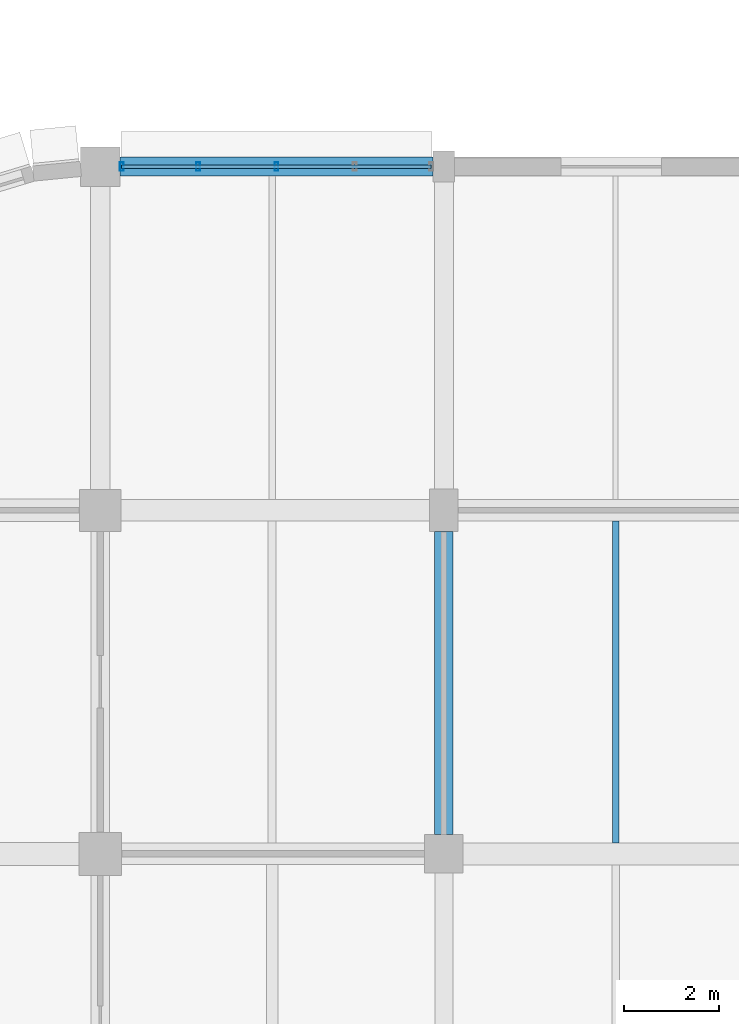
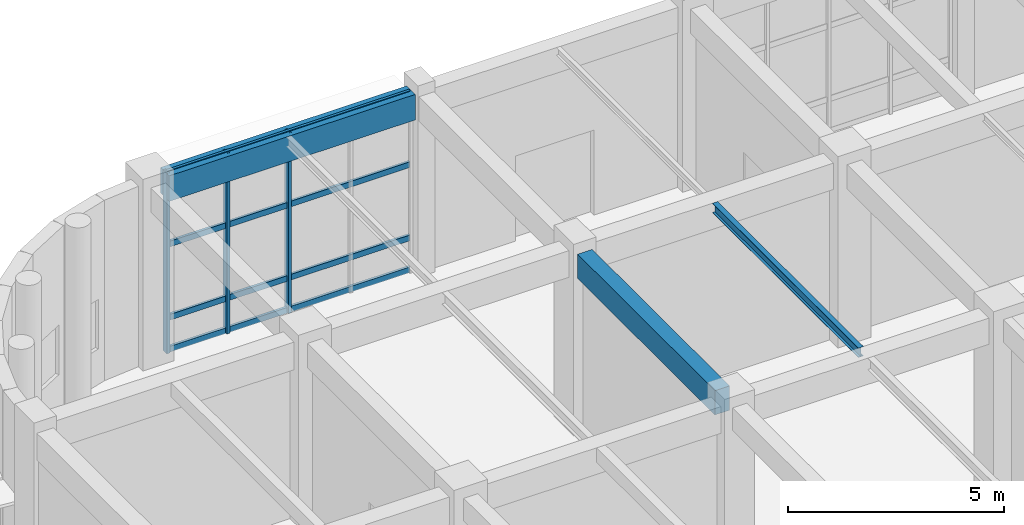
# One storey, part 56 of 160: 7 members, 3 beams, 1 element without a shape of its own.
"""IFC4 building model written with IfcOpenShell, lengths in metres."""

from ifc_helpers import new_model, si_unit, direction, frame, origin, origin_2d, place, context, subcontext, project, spatial, rectangle, hollow_rectangle, i_section, extrude, material, material_profile, profile_set, type_object, element, aggregate, save


model = new_model("IFC4")

# Units and contexts
model_context = context("Model", 3, precision=1e-05, world=origin(), true_north=direction((0.0, 1.0)))
body_context = subcontext(model_context, "Body", "Model", "MODEL_VIEW")
ifc_project = project(units=[si_unit("LENGTHUNIT", "METRE"), si_unit("AREAUNIT", "SQUARE_METRE"), si_unit("VOLUMEUNIT", "CUBIC_METRE"), si_unit("PLANEANGLEUNIT", "RADIAN"), si_unit("MASSUNIT", "GRAM", prefix="KILO")], contexts=[model_context])

# Site, building, storey
site_placement = place(None, origin())
site = spatial("IfcSite", under=ifc_project, at=site_placement, CompositionType="ELEMENT")
building_placement = place(site_placement, origin())
building = spatial("IfcBuilding", under=site, at=building_placement, Name="Thalmaran Polytechnic", CompositionType="ELEMENT")
storey_placement = place(building_placement, origin())
storey = spatial("IfcBuildingStorey", under=building, at=storey_placement, Name="L00", CompositionType="ELEMENT", Elevation=0.0)

# Beams
ifc_material_1 = material(Name="Concrete C40/50", Category="concrete")
ifc_material_profile_1 = material_profile(ifc_material_1, rectangle(XDim=0.389892578125, YDim=0.68505859375, at=origin_2d()), Name="RC 390x685")
ifc_profile_set_1 = profile_set([ifc_material_profile_1], Name="Concrete C40/50")
beam_type_1 = type_object("IfcBeamType", Name="BM-RC08", PredefinedType="BEAM", material=ifc_profile_set_1)
beam_1_placement = place(storey_placement, frame((14.39990234375, 108.39990234375, 4.74755859375), z_axis=(0.0, 1.0, 0.0), x_axis=(-1.0, 0.0, 0.0)))
element("IfcBeam", 1, at=beam_1_placement, inside=storey, type_object=beam_type_1, Name="Grid Beam B08 L00 Y(2,15)", PredefinedType="BEAM", context=body_context, shape_type="SweptSolid", body=[
    extrude(rectangle(XDim=0.389892578125, YDim=0.68505859375, at=origin_2d()), origin(), (0.0, 0.0, 1.0), 6.35009765625),
])
ifc_material_2 = material(Name="Steel S355", Category="steel")
ifc_material_profile_2 = material_profile(ifc_material_2, i_section(OverallWidth=0.135009765625, OverallDepth=0.27001953125, WebThickness=0.006591796875, FlangeThickness=0.01025390625, at=origin_2d()), Name="IPE 270")
ifc_profile_set_2 = profile_set([ifc_material_profile_2], Name="Steel S355")
beam_type_2 = type_object("IfcBeamType", Name="BM-SJ03", PredefinedType="JOIST", material=ifc_profile_set_2)
beam_2_placement = place(storey_placement, frame((18.0, 108.22998046875, 4.955078125), z_axis=(0.0, 1.0, 0.0), x_axis=(-1.0, 0.0, 0.0)))
element("IfcBeam", 2, at=beam_2_placement, inside=storey, type_object=beam_type_2, Name="Secondary Floor Rib SJ03 L00 (2,15)", PredefinedType="JOIST", context=body_context, shape_type="SweptSolid", body=[
    extrude(i_section(OverallWidth=0.135009765625, OverallDepth=0.27001953125, WebThickness=0.006591796875, FlangeThickness=0.01025390625, at=origin_2d()), origin(), (0.0, 0.0, 1.0), 6.739990234375),
])
ifc_material_profile_3 = material_profile(ifc_material_1, rectangle(XDim=0.39990234375, YDim=0.719970703125, at=origin_2d()), Name="RC 400x720")
ifc_profile_set_3 = profile_set([ifc_material_profile_3], Name="Concrete C40/50")
beam_type_3 = type_object("IfcBeamType", Name="BM-SP01", PredefinedType="SPANDREL", material=ifc_profile_set_3)
beam_3_placement = place(storey_placement, frame((7.610107421875, 122.39990234375, 4.72998046875), z_axis=(1.0, 0.0, 0.0), x_axis=(0.0, 1.0, 0.0)))
element("IfcBeam", 3, at=beam_3_placement, inside=storey, type_object=beam_type_3, Name="Grid Beam SP01 L00 X(1,17)", PredefinedType="SPANDREL", context=body_context, shape_type="SweptSolid", body=[
    extrude(rectangle(XDim=0.39990234375, YDim=0.719970703125, at=origin_2d()), origin(), (0.0, 0.0, 1.0), 6.56494140625),
])

# Curtain wall, members
ifc_material_3 = material(Name="Aluminium 6063-T6", Category="aluminium")
curtain_wall_type = type_object("IfcCurtainWallType", Name="CW-UC01", PredefinedType="USERDEFINED", material=ifc_material_3)
curtain_wall_placement = place(storey_placement, origin())
curtain_wall = element("IfcCurtainWall", 4, at=curtain_wall_placement, inside=storey, type_object=curtain_wall_type, Name="Curtain Wall CW-L00-002", ObjectType="UNITISED CURTAIN WALL", PredefinedType="USERDEFINED")
ifc_material_profile_4 = material_profile(ifc_material_3, hollow_rectangle(XDim=0.080078125, YDim=0.179931640625, WallThickness=0.0048828125, at=origin_2d()), Name="RHS 180x80x5.0")
ifc_profile_set_4 = profile_set([ifc_material_profile_4], Name="Aluminium 6063-T6")
member_type_1 = type_object("IfcMemberType", Name="CW-MUL1", PredefinedType="MULLION", material=ifc_profile_set_4)
member_1_placement = place(storey_placement, frame((7.64990234375, 122.39990234375, 0.0), z_axis=(0.0, 0.0, 1.0), x_axis=(1.0, 0.0, 0.0)))
member_1 = element("IfcMember", 5, at=member_1_placement, type_object=member_type_1, Name="CW-L00-002 Mullion 1", PredefinedType="MULLION", context=body_context, shape_type="SweptSolid", body=[
    extrude(hollow_rectangle(XDim=0.080078125, YDim=0.179931640625, WallThickness=0.0048828125, at=origin_2d()), origin(), (0.0, 0.0, 1.0), 5.090087890625),
])
member_2_placement = place(storey_placement, frame((9.251220703125, 122.39990234375, 0.0), z_axis=(0.0, 0.0, 1.0), x_axis=(1.0, 0.0, 0.0)))
member_2 = element("IfcMember", 6, at=member_2_placement, type_object=member_type_1, Name="CW-L00-002 Mullion 2", PredefinedType="MULLION", context=body_context, shape_type="SweptSolid", body=[
    extrude(hollow_rectangle(XDim=0.080078125, YDim=0.179931640625, WallThickness=0.0048828125, at=origin_2d()), origin(), (0.0, 0.0, 1.0), 5.090087890625),
])
member_3_placement = place(storey_placement, frame((10.892578125, 122.39990234375, 0.0), z_axis=(0.0, 0.0, 1.0), x_axis=(1.0, 0.0, 0.0)))
member_3 = element("IfcMember", 7, at=member_3_placement, type_object=member_type_1, Name="CW-L00-002 Mullion 3", PredefinedType="MULLION", context=body_context, shape_type="SweptSolid", body=[
    extrude(hollow_rectangle(XDim=0.080078125, YDim=0.179931640625, WallThickness=0.0048828125, at=origin_2d()), origin(), (0.0, 0.0, 1.0), 5.090087890625),
])
ifc_material_profile_5 = material_profile(ifc_material_3, hollow_rectangle(XDim=0.070068359375, YDim=0.159912109375, WallThickness=0.00390625, at=origin_2d()), Name="AL 160x70x4.0")
ifc_profile_set_5 = profile_set([ifc_material_profile_5], Name="Aluminium 6063-T6")
member_type_2 = type_object("IfcMemberType", Name="CW-TRN1", PredefinedType="USERDEFINED", material=ifc_profile_set_5)
member_4_placement = place(storey_placement, frame((7.64990234375, 122.39990234375, 0.06005859375), z_axis=(1.0, 0.0, 0.0), x_axis=(0.0, 1.0, 0.0)))
member_4 = element("IfcMember", 8, at=member_4_placement, type_object=member_type_2, Name="CW-L00-002 Transom 1", ObjectType="TRANSOM", PredefinedType="USERDEFINED", context=body_context, shape_type="SweptSolid", body=[
    extrude(hollow_rectangle(XDim=0.070068359375, YDim=0.159912109375, WallThickness=0.00390625, at=origin_2d()), origin(), (0.0, 0.0, 1.0), 6.485107421875),
])
member_5_placement = place(storey_placement, frame((7.64990234375, 122.39990234375, 0.9599609375), z_axis=(1.0, 0.0, 0.0), x_axis=(0.0, 1.0, 0.0)))
member_5 = element("IfcMember", 9, at=member_5_placement, type_object=member_type_2, Name="CW-L00-002 Transom 2", ObjectType="TRANSOM", PredefinedType="USERDEFINED", context=body_context, shape_type="SweptSolid", body=[
    extrude(hollow_rectangle(XDim=0.070068359375, YDim=0.159912109375, WallThickness=0.00390625, at=origin_2d()), origin(), (0.0, 0.0, 1.0), 6.485107421875),
])
member_6_placement = place(storey_placement, frame((7.64990234375, 122.39990234375, 3.02490234375), z_axis=(1.0, 0.0, 0.0), x_axis=(0.0, 1.0, 0.0)))
member_6 = element("IfcMember", 10, at=member_6_placement, type_object=member_type_2, Name="CW-L00-002 Transom 3", ObjectType="TRANSOM", PredefinedType="USERDEFINED", context=body_context, shape_type="SweptSolid", body=[
    extrude(hollow_rectangle(XDim=0.070068359375, YDim=0.159912109375, WallThickness=0.00390625, at=origin_2d()), origin(), (0.0, 0.0, 1.0), 6.485107421875),
])
member_7_placement = place(storey_placement, frame((7.64990234375, 122.39990234375, 5.030029296875), z_axis=(1.0, 0.0, 0.0), x_axis=(0.0, 1.0, 0.0)))
member_7 = element("IfcMember", 11, at=member_7_placement, type_object=member_type_2, Name="CW-L00-002 Transom 4", ObjectType="TRANSOM", PredefinedType="USERDEFINED", context=body_context, shape_type="SweptSolid", body=[
    extrude(hollow_rectangle(XDim=0.070068359375, YDim=0.159912109375, WallThickness=0.00390625, at=origin_2d()), origin(), (0.0, 0.0, 1.0), 6.485107421875),
])
aggregate(curtain_wall, [member_1, member_2, member_3, member_4, member_5, member_6, member_7])

save(model, "model.ifc")
